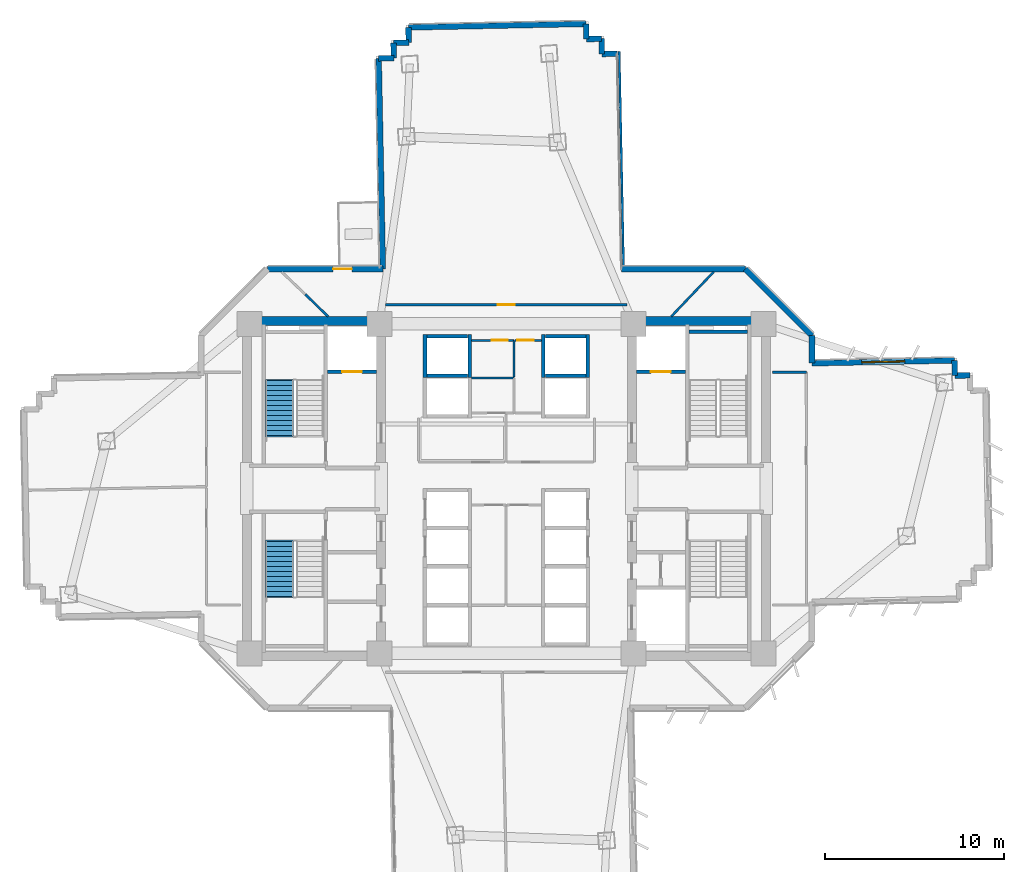
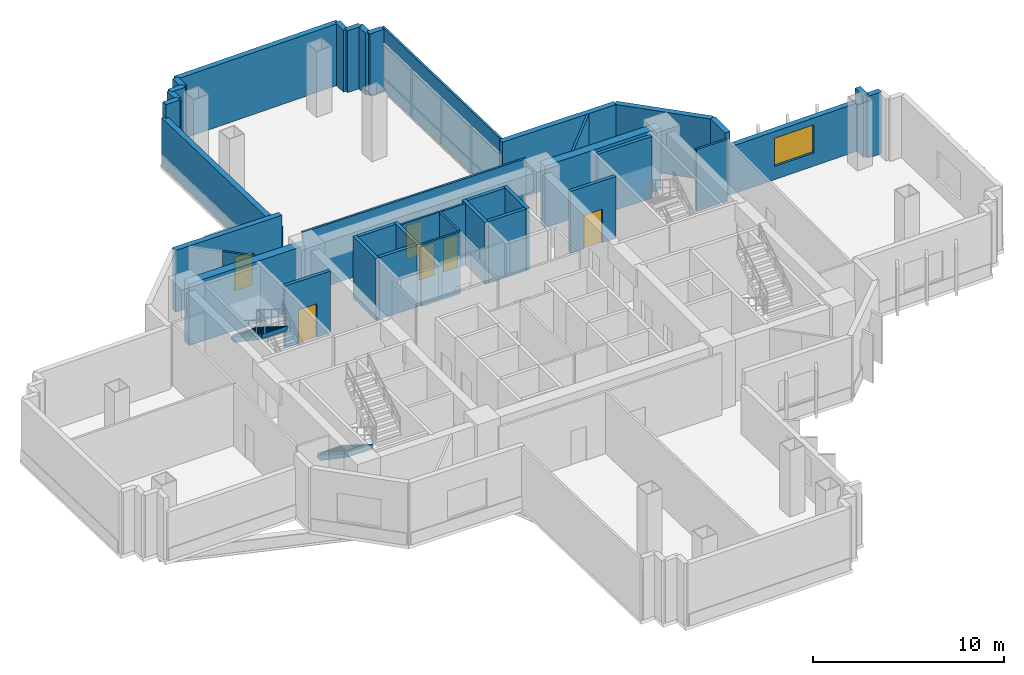
# One storey, part 9 of 15: 39 walls, 6 doors, 2 stair flights, 1 window, 7 openings, 2 elements without a shape of their own.
"""IFC4 building model written with IfcOpenShell, lengths in metres."""

import ifcopenshell
import ifcopenshell.guid

model = None  # the IFC model being written
_history = None  # IfcOwnerHistory: only IFC2X3 demands one
_inside = {}  # id of a spatial element -> (the spatial element, [elements in it])
_under = {}  # id of a project, library or spatial element -> (it, [spatial elements below it])
_declared = {}  # id of a project -> (the project, [libraries it declares])
_typed = {}  # id of a type object -> (the type object, [elements of that type])
_made_of = {}  # id of a material, layer set ... -> (it, [elements and type objects made of it])


def new_model(schema):
    """Start an empty IFC model of exactly this schema.

    Asked for "IFC4X3", IfcOpenShell would pick the latest addendum, in which some entities
    have other attributes; the version numbers below select the first issue.
    IFC2X3 requires an IfcOwnerHistory on every rooted entity: one is made here for all.
    """
    global model, _history
    if schema == "IFC4X3":
        model = ifcopenshell.file(schema_version=(4, 3, 0, 0))
    else:
        model = ifcopenshell.file(schema=schema)
    _inside.clear()
    _under.clear()
    _declared.clear()
    _typed.clear()
    _made_of.clear()
    _history = None
    if model.schema == "IFC2X3":
        org = make("IfcOrganization", Name="unknown")
        user = make(
            "IfcPersonAndOrganization",
            ThePerson=make("IfcPerson", FamilyName="unknown"),
            TheOrganization=org,
        )
        app = make(
            "IfcApplication",
            ApplicationDeveloper=org,
            Version="unknown",
            ApplicationFullName="unknown",
            ApplicationIdentifier="unknown",
        )
        _history = make(
            "IfcOwnerHistory",
            OwningUser=user,
            OwningApplication=app,
            ChangeAction="ADDED",
            CreationDate=0,
        )
    return model


def make(cls, **values):
    """One entity of the class cls with the attributes given. An attribute that is None is left unset."""
    return model.create_entity(
        cls, **{name: value for name, value in values.items() if value is not None}
    )


def rooted(cls, **values):
    """An entity with a GlobalId (a new one), such as an element, a storey or a relation."""
    return make(cls, GlobalId=ifcopenshell.guid.new(), OwnerHistory=_history, **values)


def si_unit(unit_type, name, prefix=None):
    """IfcSIUnit, for example si_unit("LENGTHUNIT", "METRE", prefix="MILLI")."""
    return make("IfcSIUnit", UnitType=unit_type, Prefix=prefix, Name=name)


def assignment(units):
    """IfcUnitAssignment: the units of a project."""
    return None if units is None else make("IfcUnitAssignment", Units=units)


def point(xyz):
    """IfcCartesianPoint."""
    return None if xyz is None else make("IfcCartesianPoint", Coordinates=xyz)


def direction(xyz):
    """IfcDirection."""
    return None if xyz is None else make("IfcDirection", DirectionRatios=xyz)


def frame(location, z_axis=None, x_axis=None):
    """IfcAxis2Placement3D, a coordinate frame: its origin and axes. An axis left out is left unset."""
    return make(
        "IfcAxis2Placement3D",
        Location=point(location),
        Axis=direction(z_axis),
        RefDirection=direction(x_axis),
    )


def frame_2d(location, x_axis=None):
    """IfcAxis2Placement2D, a coordinate frame in the plane: its origin and x axis."""
    return make(
        "IfcAxis2Placement2D", Location=point(location), RefDirection=direction(x_axis)
    )


def origin():
    """The frame at (0, 0, 0) with its axes left unset."""
    return frame((0.0, 0.0, 0.0))


def place(relative_to, where):
    """IfcLocalPlacement: puts the frame where relative to a parent placement (None: the world)."""
    return make(
        "IfcLocalPlacement", PlacementRelTo=relative_to, RelativePlacement=where
    )


def context(
    kind, dimensions, precision=None, world=None, true_north=None, identifier=None
):
    """IfcGeometricRepresentationContext, for example the 3D "Model" context."""
    return make(
        "IfcGeometricRepresentationContext",
        ContextIdentifier=identifier,
        ContextType=kind,
        CoordinateSpaceDimension=dimensions,
        Precision=precision,
        WorldCoordinateSystem=world,
        TrueNorth=true_north,
    )


def subcontext(parent, identifier, kind, view, scale=None):
    """IfcGeometricRepresentationSubContext, for example "Body" below "Model"."""
    return make(
        "IfcGeometricRepresentationSubContext",
        ContextIdentifier=identifier,
        ContextType=kind,
        ParentContext=parent,
        TargetScale=scale,
        TargetView=view,
    )


def project(units=None, contexts=None):
    """IfcProject with its units and contexts."""
    return rooted(
        "IfcProject",
        Name="project",
        RepresentationContexts=contexts,
        UnitsInContext=assignment(units),
    )


def spatial(cls, under=None, at=None, **own):
    """A site, building, storey or space (cls), placed at a placement, below another one or the project."""
    s = rooted(cls, ObjectPlacement=at, **own)
    if under is not None:
        _under.setdefault(under.id(), (under, []))[1].append(s)
    return s


def polyline(points):
    """IfcPolyline through the points."""
    return make("IfcPolyline", Points=[point(p) for p in points])


def profile(cls, at=None, kind="AREA", **sizes):
    """A parametric profile (cls). Its sizes go by their IFC names, for example OverallWidth=200.0."""
    return make(cls, ProfileType=kind, Position=at, **sizes)


def rectangle(**sizes):
    """IfcRectangleProfileDef."""
    return profile("IfcRectangleProfileDef", **sizes)


def outline(outer, holes=None, kind="AREA"):
    """IfcArbitraryClosedProfileDef: a profile drawn as a closed curve; with holes, ...WithVoids."""
    if holes is None:
        return make("IfcArbitraryClosedProfileDef", ProfileType=kind, OuterCurve=outer)
    return make(
        "IfcArbitraryProfileDefWithVoids",
        ProfileType=kind,
        OuterCurve=outer,
        InnerCurves=holes,
    )


def extrude(swept, where, along, depth):
    """IfcExtrudedAreaSolid: the profile swept, set in the frame where, extruded along a direction by depth."""
    return make(
        "IfcExtrudedAreaSolid",
        SweptArea=swept,
        Position=where,
        ExtrudedDirection=direction(along),
        Depth=depth,
    )


def shape(context_of_items, identifier, shape_type, items):
    """IfcShapeRepresentation: the items that make up one representation, for example the "Body"."""
    return make(
        "IfcShapeRepresentation",
        ContextOfItems=context_of_items,
        RepresentationIdentifier=identifier,
        RepresentationType=shape_type,
        Items=items,
    )


def source(mapping_origin, context_of_items, identifier, shape_type, items):
    """IfcRepresentationMap: a shape defined once, which mapped items show again and again."""
    return make(
        "IfcRepresentationMap",
        MappingOrigin=mapping_origin,
        MappedRepresentation=shape(context_of_items, identifier, shape_type, items),
    )


def transform(
    local_origin,
    x_axis=None,
    y_axis=None,
    z_axis=None,
    scale=None,
    scale2=None,
    scale3=None,
    uniform=True,
):
    """IfcCartesianTransformationOperator3D, or its non-uniform kind. x_axis, y_axis, z_axis: its Axis1, 2, 3."""
    if uniform:
        return make(
            "IfcCartesianTransformationOperator3D",
            Axis1=direction(x_axis),
            Axis2=direction(y_axis),
            LocalOrigin=point(local_origin),
            Scale=scale,
            Axis3=direction(z_axis),
        )
    return make(
        "IfcCartesianTransformationOperator3DnonUniform",
        Axis1=direction(x_axis),
        Axis2=direction(y_axis),
        LocalOrigin=point(local_origin),
        Scale=scale,
        Axis3=direction(z_axis),
        Scale2=scale2,
        Scale3=scale3,
    )


def mapped(mapping_source, mapping_target):
    """IfcMappedItem: shows the shape of a source again, moved by a transform."""
    return make(
        "IfcMappedItem", MappingSource=mapping_source, MappingTarget=mapping_target
    )


def material(Name=None, Category=None):
    """IfcMaterial."""
    return make("IfcMaterial", Name=Name, Category=Category)


def layer(
    of_material, thickness, ventilated=None, Name=None, Category=None, Priority=None
):
    """IfcMaterialLayer: one layer of a wall or slab, of a material (None: an air gap)."""
    return make(
        "IfcMaterialLayer",
        Material=of_material,
        LayerThickness=thickness,
        IsVentilated=ventilated,
        Name=Name,
        Category=Category,
        Priority=Priority,
    )


def layer_set(layers, Name=None):
    """IfcMaterialLayerSet."""
    return make("IfcMaterialLayerSet", MaterialLayers=layers, LayerSetName=Name)


def made_of(thing, what):
    """Note that an element or type object is made of a material, layer set ...; save() writes the relation."""
    if what is not None:
        _made_of.setdefault(what.id(), (what, []))[1].append(thing)
    return thing


def type_object(cls, material=None, **own):
    """A type object (cls), such as IfcWallType, which elements share."""
    return made_of(rooted(cls, **own), material)


def element(
    cls,
    number,
    at=None,
    inside=None,
    cuts=None,
    type_object=None,
    material=None,
    context=None,
    identifier="Body",
    shape_type=None,
    held_by="IfcProductDefinitionShape",
    body=None,
    shapes=None,
    **own,
):
    """One element of the class cls, such as IfcWall. Its Tag is "e" and its number.

    at: its placement. inside: the storey or other place that contains it. cuts: it is an
    opening in that element (IfcRelVoidsElement). A single representation is given by context,
    identifier, shape_type and body (its items); several are given by shapes. held_by: the class
    of the entity that holds the representations. save() writes the other relations.
    """
    e = rooted(cls, Tag="e%d" % number, ObjectPlacement=at, **own)
    if body is not None:
        shapes = [shape(context, identifier, shape_type, body)]
    if shapes is not None:
        e.Representation = make(held_by, Representations=shapes)
    if inside is not None:
        _inside.setdefault(inside.id(), (inside, []))[1].append(e)
    if cuts is not None:
        rooted(
            "IfcRelVoidsElement", RelatingBuildingElement=cuts, RelatedOpeningElement=e
        )
    if type_object is not None:
        _typed.setdefault(type_object.id(), (type_object, []))[1].append(e)
    return made_of(e, material)


def fill(opening, filler):
    """IfcRelFillsElement: the door or window that sits in an opening."""
    return rooted(
        "IfcRelFillsElement",
        RelatingOpeningElement=opening,
        RelatedBuildingElement=filler,
    )


def aggregate(whole, parts):
    """IfcRelAggregates: a whole, such as a stair, and the parts it consists of."""
    return rooted("IfcRelAggregates", RelatingObject=whole, RelatedObjects=parts)


def save(model, path):
    """Write the relations noted so far, then the file.

    IfcRelAggregates (storeys below a building ...), IfcRelContainedInSpatialStructure (elements
    in a storey), IfcRelDefinesByType, IfcRelAssociatesMaterial and IfcRelDeclares: one each for
    every whole, place, type object, material and project.
    """
    for whole, parts in _under.values():
        aggregate(whole, parts)
    for where, things in _inside.values():
        rooted(
            "IfcRelContainedInSpatialStructure",
            RelatedElements=things,
            RelatingStructure=where,
        )
    for kind, things in _typed.values():
        rooted("IfcRelDefinesByType", RelatedObjects=things, RelatingType=kind)
    for what, things in _made_of.values():
        rooted("IfcRelAssociatesMaterial", RelatedObjects=things, RelatingMaterial=what)
    for by, libraries in _declared.values():
        rooted("IfcRelDeclares", RelatingContext=by, RelatedDefinitions=libraries)
    model.write(path)


model = new_model("IFC4")

# Units and contexts
model_context = context("Model", 3, precision=1e-05, world=origin(), true_north=direction((0.0, 1.0)))
body_context = subcontext(model_context, "Body", "Model", "MODEL_VIEW")
ifc_project = project(units=[si_unit("LENGTHUNIT", "METRE"), si_unit("AREAUNIT", "SQUARE_METRE"), si_unit("VOLUMEUNIT", "CUBIC_METRE"), si_unit("PLANEANGLEUNIT", "RADIAN"), si_unit("MASSUNIT", "GRAM", prefix="KILO")], contexts=[model_context])

# Site, building, storey
site_placement = place(None, origin())
site = spatial("IfcSite", under=ifc_project, at=site_placement, CompositionType="ELEMENT")
building_placement = place(site_placement, origin())
building = spatial("IfcBuilding", under=site, at=building_placement, Name="Zahravan Cultural Tower", CompositionType="ELEMENT")
storey_placement = place(building_placement, frame((0.0, 0.0, 45.89990234375)))
storey = spatial("IfcBuildingStorey", under=building, at=storey_placement, Name="L09", CompositionType="ELEMENT", Elevation=45.89990234375)

# Wall, opening, window
ifc_material_1 = material(Name="Precast concrete C40/50", Category="concrete")
ifc_layer_1 = layer(ifc_material_1, 0.320068359375)
ifc_layer_set_1 = layer_set([ifc_layer_1], Name="Precast concrete C40/50")
wall_type_1 = type_object("IfcWallType", Name="EW-TC-320", PredefinedType="SOLIDWALL", material=ifc_layer_set_1)
wall_1_placement = place(storey_placement, frame((53.06005859375, 34.000732421875, 0.0), z_axis=(0.0, 0.0, 1.0), x_axis=(0.999802065132, 0.019895490902, 0.0)))
wall_1 = element("IfcWall", 1, at=wall_1_placement, inside=storey, type_object=wall_type_1, Name="L09 Exterior Masonry Frame Wall 01", PredefinedType="SOLIDWALL", context=body_context, shape_type="SweptSolid", body=[
    extrude(rectangle(XDim=7.9638671875, YDim=0.320068359375, at=frame_2d((3.98193359375, 0.0))), origin(), (0.0, 0.0, 1.0), 3.080078125),
])
opening_1_placement = place(wall_1_placement, frame((2.781982421875, 0.0, 0.85009765625)))
opening_1 = element("IfcOpeningElement", 2, at=opening_1_placement, cuts=wall_1, Name="Opening WN-01", PredefinedType="OPENING", context=body_context, shape_type="SweptSolid", body=[
    extrude(rectangle(XDim=2.39990234375, YDim=1.800048828125, at=frame_2d((1.199951171875, 0.89990234375))), frame((0.0, 0.169921875, 0.0), z_axis=(0.0, -1.0, 0.0), x_axis=(1.0, 0.0, 0.0)), (0.0, 0.0, 1.0), 0.340087890625),
])
ifc_material_2 = material(Name="Low-E solar-control double glazing", Category="glass")
window_type = type_object("IfcWindowType", Name="WN-REC-2400X1800", PartitioningType="DOUBLE_PANEL_VERTICAL", PredefinedType="WINDOW", material=ifc_material_2)
shared_shape_1 = source(origin(), body_context, "Body", "SweptSolid", [
    extrude(rectangle(XDim=2.39990234375, YDim=1.800048828125, at=frame_2d((1.199951171875, 0.89990234375))), frame((0.0, 0.030029296875, 0.0), z_axis=(0.0, -1.0, 0.0), x_axis=(1.0, 0.0, 0.0)), (0.0, 0.0, 1.0), 0.06005859375),
])
window_placement = place(opening_1_placement, origin())
window = element("IfcWindow", 3, at=window_placement, inside=storey, type_object=window_type, Name="L09 Recessed Solar Window 01", OverallHeight=1.800048828125, OverallWidth=2.39990234375, PartitioningType="DOUBLE_PANEL_VERTICAL", PredefinedType="WINDOW", context=body_context, shape_type="MappedRepresentation", body=[
    mapped(shared_shape_1, transform((0.0, 0.0, 0.0), x_axis=(1.0, 0.0, 0.0), y_axis=(0.0, 1.0, 0.0), z_axis=(0.0, 0.0, 1.0), scale=1.0)),
])
fill(opening_1, window)

# Wall, opening, door
wall_2_placement = place(storey_placement, frame((22.657958984375, 39.260009765625, 0.0), z_axis=(0.0, 0.0, 1.0), x_axis=(1.0, 0.0, 0.0)))
wall_2 = element("IfcWall", 4, at=wall_2_placement, inside=storey, type_object=wall_type_1, Name="L09 Exterior Masonry Frame Wall 41", PredefinedType="SOLIDWALL", context=body_context, shape_type="SweptSolid", body=[
    extrude(rectangle(XDim=6.436767578125, YDim=0.320068359375, at=frame_2d((3.21826171875, 0.0))), origin(), (0.0, 0.0, 1.0), 3.9501953125),
])
opening_2_placement = place(wall_2_placement, frame((3.6630859375, 0.0, 0.0)))
opening_2 = element("IfcOpeningElement", 5, at=opening_2_placement, cuts=wall_2, Name="Opening D-L09-TR-NW", PredefinedType="OPENING", context=body_context, shape_type="SweptSolid", body=[
    extrude(rectangle(XDim=1.050048828125, YDim=2.14990234375, at=frame_2d((0.52490234375, 1.074951171875))), frame((0.0, 0.169921875, 0.0), z_axis=(0.0, -1.0, 0.0), x_axis=(1.0, 0.0, 0.0)), (0.0, 0.0, 1.0), 0.340087890625),
])
ifc_material_3 = material(Name="Anodised bronze-aluminium mullion", Category="aluminium")
door_type_1 = type_object("IfcDoorType", Name="DR-TERR-1050", OperationType="NOTDEFINED", PredefinedType="DOOR", material=ifc_material_3)
shared_shape_2 = source(origin(), body_context, "Body", "SweptSolid", [
    extrude(rectangle(XDim=1.050048828125, YDim=2.14990234375, at=frame_2d((0.52490234375, 1.074951171875))), frame((0.0, 0.02490234375, 0.0), z_axis=(0.0, -1.0, 0.0), x_axis=(1.0, 0.0, 0.0)), (0.0, 0.0, 1.0), 0.050048828125),
])
door_1_placement = place(opening_2_placement, origin())
door_1 = element("IfcDoor", 6, at=door_1_placement, inside=storey, type_object=door_type_1, Name="L09 Terrace Access Door NW", OperationType="SINGLE_SWING_RIGHT", OverallHeight=2.14990234375, OverallWidth=1.050048828125, PredefinedType="DOOR", context=body_context, shape_type="MappedRepresentation", body=[
    mapped(shared_shape_2, transform((0.0, 0.0, 0.0), x_axis=(1.0, 0.0, 0.0), y_axis=(0.0, 1.0, 0.0), z_axis=(0.0, 0.0, 1.0), scale=1.0)),
])
fill(opening_2, door_1)

ifc_material_4 = material(Name="Gypsum plasterboard partition")
ifc_layer_2 = layer(ifc_material_4, 0.125)
ifc_layer_set_2 = layer_set([ifc_layer_2], Name="Gypsum plasterboard partition")
wall_type_2 = type_object("IfcWallType", Name="W-PART-125", PredefinedType="PARTITIONING", material=ifc_layer_set_2)
wall_3_placement = place(storey_placement, frame((42.744140625, 37.260009765625, 0.0), z_axis=(0.0, 0.0, 1.0), x_axis=(-0.999999999345, -3.6194509e-05, 0.0)))
wall_3 = element("IfcWall", 7, at=wall_3_placement, inside=storey, type_object=wall_type_2, Name="L09 Interior Wall 104", PredefinedType="PARTITIONING", context=body_context, shape_type="SweptSolid", body=[
    extrude(rectangle(XDim=13.490478515625, YDim=0.125, at=frame_2d((6.7451171875, 0.0))), origin(), (0.0, 0.0, 1.0), 3.9501953125),
])
opening_3_placement = place(wall_3_placement, frame((6.270263671875, 0.0, 0.0)))
opening_3 = element("IfcOpeningElement", 8, at=opening_3_placement, cuts=wall_3, Name="Opening D-L09-20", PredefinedType="OPENING", context=body_context, shape_type="SweptSolid", body=[
    extrude(rectangle(XDim=0.949951171875, YDim=2.14990234375, at=frame_2d((0.47509765625, 1.074951171875))), frame((0.0, 0.072509765625, 0.0), z_axis=(0.0, -1.0, 0.0), x_axis=(1.0, 0.0, 0.0)), (0.0, 0.0, 1.0), 0.14501953125),
])
door_type_2 = type_object("IfcDoorType", Name="DR-ROOM-950", OperationType="NOTDEFINED", PredefinedType="DOOR", material=ifc_material_3)
shared_shape_3 = source(origin(), body_context, "Body", "SweptSolid", [
    extrude(rectangle(XDim=0.949951171875, YDim=2.14990234375, at=frame_2d((0.47509765625, 1.074951171875))), frame((0.0, 0.02490234375, 0.0), z_axis=(0.0, -1.0, 0.0), x_axis=(1.0, 0.0, 0.0)), (0.0, 0.0, 1.0), 0.050048828125),
])
door_2_placement = place(opening_3_placement, origin())
door_2 = element("IfcDoor", 9, at=door_2_placement, inside=storey, type_object=door_type_2, Name="L09 Door D-L09-20", OperationType="SINGLE_SWING_RIGHT", OverallHeight=2.14990234375, OverallWidth=0.949951171875, PredefinedType="DOOR", context=body_context, shape_type="MappedRepresentation", body=[
    mapped(shared_shape_3, transform((0.0, 0.0, 0.0), x_axis=(1.0, 0.0, 0.0), y_axis=(0.0, 1.0, 0.0), z_axis=(0.0, 0.0, 1.0), scale=1.0)),
])
fill(opening_3, door_2)

ifc_material_5 = material(Name="Concrete C45/55", Category="concrete")
ifc_layer_3 = layer(ifc_material_5, 0.199951171875)
ifc_layer_set_3 = layer_set([ifc_layer_3], Name="Concrete C45/55")
wall_type_3 = type_object("IfcWallType", Name="W-SHAFT-200", PredefinedType="SOLIDWALL", material=ifc_layer_set_3)
wall_4_placement = place(storey_placement, frame((26.0, 33.52001953125, 0.0), z_axis=(0.0, 0.0, 1.0), x_axis=(1.0, 0.0, 0.0)))
wall_4 = element("IfcWall", 10, at=wall_4_placement, inside=storey, type_object=wall_type_3, Name="L09 Interior Wall 021", PredefinedType="SOLIDWALL", context=body_context, shape_type="SweptSolid", body=[
    extrude(rectangle(XDim=2.75, YDim=0.199951171875, at=frame_2d((1.375, 0.0))), origin(), (0.0, 0.0, 1.0), 3.9501953125),
])
opening_4_placement = place(wall_4_placement, frame((0.820068359375, 0.0, 0.0)))
opening_4 = element("IfcOpeningElement", 11, at=opening_4_placement, cuts=wall_4, Name="Opening LD-L09-01", PredefinedType="OPENING", context=body_context, shape_type="SweptSolid", body=[
    extrude(rectangle(XDim=1.10009765625, YDim=2.14990234375, at=frame_2d((0.550048828125, 1.074951171875))), frame((0.0, 0.10986328125, 0.0), z_axis=(0.0, -1.0, 0.0), x_axis=(1.0, 0.0, 0.0)), (0.0, 0.0, 1.0), 0.219970703125),
])
ifc_material_6 = material(Name="Steel ASTM A572 Grade 50", Category="steel")
door_type_3 = type_object("IfcDoorType", Name="DR-LIFT-1100", OperationType="DOUBLE_DOOR_SLIDING", PredefinedType="DOOR", material=ifc_material_6)
shared_shape_4 = source(origin(), body_context, "Body", "SweptSolid", [
    extrude(rectangle(XDim=1.10009765625, YDim=2.14990234375, at=frame_2d((0.550048828125, 1.074951171875))), frame((0.0, 0.02490234375, 0.0), z_axis=(0.0, -1.0, 0.0), x_axis=(1.0, 0.0, 0.0)), (0.0, 0.0, 1.0), 0.050048828125),
])
door_3_placement = place(opening_4_placement, origin())
door_3 = element("IfcDoor", 12, at=door_3_placement, inside=storey, type_object=door_type_3, Name="L09 Door LD-L09-01", OperationType="DOUBLE_DOOR_SLIDING", OverallHeight=2.14990234375, OverallWidth=1.10009765625, PredefinedType="DOOR", context=body_context, shape_type="MappedRepresentation", body=[
    mapped(shared_shape_4, transform((0.0, 0.0, 0.0), x_axis=(1.0, 0.0, 0.0), y_axis=(0.0, 1.0, 0.0), z_axis=(0.0, 0.0, 1.0), scale=1.0)),
])
fill(opening_4, door_3)

wall_5_placement = place(storey_placement, frame((43.25, 33.52001953125, 0.0), z_axis=(0.0, 0.0, 1.0), x_axis=(1.0, 0.0, 0.0)))
wall_5 = element("IfcWall", 13, at=wall_5_placement, inside=storey, type_object=wall_type_3, Name="L09 Interior Wall 022", PredefinedType="SOLIDWALL", context=body_context, shape_type="SweptSolid", body=[
    extrude(rectangle(XDim=2.75, YDim=0.199951171875, at=frame_2d((1.375, 0.0))), origin(), (0.0, 0.0, 1.0), 3.9501953125),
])
opening_5_placement = place(wall_5_placement, frame((0.820068359375, 0.0, 0.0)))
opening_5 = element("IfcOpeningElement", 14, at=opening_5_placement, cuts=wall_5, Name="Opening LD-L09-02", PredefinedType="OPENING", context=body_context, shape_type="SweptSolid", body=[
    extrude(rectangle(XDim=1.10009765625, YDim=2.14990234375, at=frame_2d((0.550048828125, 1.074951171875))), frame((0.0, 0.10986328125, 0.0), z_axis=(0.0, -1.0, 0.0), x_axis=(1.0, 0.0, 0.0)), (0.0, 0.0, 1.0), 0.219970703125),
])
door_4_placement = place(opening_5_placement, origin())
door_4 = element("IfcDoor", 15, at=door_4_placement, inside=storey, type_object=door_type_3, Name="L09 Door LD-L09-02", OperationType="DOUBLE_DOOR_SLIDING", OverallHeight=2.14990234375, OverallWidth=1.10009765625, PredefinedType="DOOR", context=body_context, shape_type="MappedRepresentation", body=[
    mapped(shared_shape_4, transform((0.0, 0.0, 0.0), x_axis=(1.0, 0.0, 0.0), y_axis=(0.0, 1.0, 0.0), z_axis=(0.0, 0.0, 1.0), scale=1.0)),
])
fill(opening_5, door_4)

ifc_layer_4 = layer(ifc_material_4, 0.114990234375)
ifc_layer_set_4 = layer_set([ifc_layer_4], Name="Gypsum plasterboard partition")
wall_type_4 = type_object("IfcWallType", Name="W-WC-115", PredefinedType="PARTITIONING", material=ifc_layer_set_4)
wall_6_placement = place(storey_placement, frame((34.054931640625, 35.280029296875, 0.0), z_axis=(0.0, 0.0, 1.0), x_axis=(1.0, 0.0, 0.0)))
wall_6 = element("IfcWall", 16, at=wall_6_placement, inside=storey, type_object=wall_type_4, Name="L09 Interior Wall 071", PredefinedType="PARTITIONING", context=body_context, shape_type="SweptSolid", body=[
    extrude(rectangle(XDim=2.35498046875, YDim=0.114990234375, at=frame_2d((1.177490234375, 0.0))), origin(), (0.0, 0.0, 1.0), 3.9501953125),
])
opening_6_placement = place(wall_6_placement, frame((1.120849609375, 0.0, 0.0)))
opening_6 = element("IfcOpeningElement", 17, at=opening_6_placement, cuts=wall_6, Name="Opening D-L09-13", PredefinedType="OPENING", context=body_context, shape_type="SweptSolid", body=[
    extrude(rectangle(XDim=0.89990234375, YDim=2.10009765625, at=frame_2d((0.449951171875, 1.050048828125))), frame((0.0, 0.0673828125, 0.0), z_axis=(0.0, -1.0, 0.0), x_axis=(1.0, 0.0, 0.0)), (0.0, 0.0, 1.0), 0.135009765625),
])
door_type_4 = type_object("IfcDoorType", Name="DR-WC-900", OperationType="NOTDEFINED", PredefinedType="DOOR", material=ifc_material_3)
shared_shape_5 = source(origin(), body_context, "Body", "SweptSolid", [
    extrude(rectangle(XDim=0.89990234375, YDim=2.10009765625, at=frame_2d((0.449951171875, 1.050048828125))), frame((0.0, 0.02490234375, 0.0), z_axis=(0.0, -1.0, 0.0), x_axis=(1.0, 0.0, 0.0)), (0.0, 0.0, 1.0), 0.050048828125),
])
door_5_placement = place(opening_6_placement, origin())
door_5 = element("IfcDoor", 18, at=door_5_placement, inside=storey, type_object=door_type_4, Name="L09 Door D-L09-13", OperationType="SINGLE_SWING_LEFT", OverallHeight=2.10009765625, OverallWidth=0.89990234375, PredefinedType="DOOR", context=body_context, shape_type="MappedRepresentation", body=[
    mapped(shared_shape_5, transform((0.0, 0.0, 0.0), x_axis=(1.0, 0.0, 0.0), y_axis=(0.0, 1.0, 0.0), z_axis=(0.0, 0.0, 1.0), scale=1.0)),
])
fill(opening_6, door_5)

wall_7_placement = place(storey_placement, frame((36.472412109375, 35.280029296875, 0.0), z_axis=(0.0, 0.0, 1.0), x_axis=(1.0, 0.0, 0.0)))
wall_7 = element("IfcWall", 19, at=wall_7_placement, inside=storey, type_object=wall_type_4, Name="L09 Interior Wall 074", PredefinedType="PARTITIONING", context=body_context, shape_type="SweptSolid", body=[
    extrude(rectangle(XDim=1.47265625, YDim=0.114990234375, at=frame_2d((0.736328125, 0.0))), origin(), (0.0, 0.0, 1.0), 3.9501953125),
])
opening_7_placement = place(wall_7_placement, frame((0.139892578125, 0.0, 0.0)))
opening_7 = element("IfcOpeningElement", 20, at=opening_7_placement, cuts=wall_7, Name="Opening D-L09-14", PredefinedType="OPENING", context=body_context, shape_type="SweptSolid", body=[
    extrude(rectangle(XDim=0.89990234375, YDim=2.10009765625, at=frame_2d((0.449951171875, 1.050048828125))), frame((0.0, 0.0673828125, 0.0), z_axis=(0.0, -1.0, 0.0), x_axis=(1.0, 0.0, 0.0)), (0.0, 0.0, 1.0), 0.135009765625),
])
door_6_placement = place(opening_7_placement, origin())
door_6 = element("IfcDoor", 21, at=door_6_placement, inside=storey, type_object=door_type_4, Name="L09 Door D-L09-14", OperationType="SINGLE_SWING_RIGHT", OverallHeight=2.10009765625, OverallWidth=0.89990234375, PredefinedType="DOOR", context=body_context, shape_type="MappedRepresentation", body=[
    mapped(shared_shape_5, transform((0.0, 0.0, 0.0), x_axis=(1.0, 0.0, 0.0), y_axis=(0.0, 1.0, 0.0), z_axis=(0.0, 0.0, 1.0), scale=1.0)),
])
fill(opening_7, door_6)

# Walls
ifc_material_7 = material(Name="Concrete C60/75", Category="concrete")
ifc_layer_5 = layer(ifc_material_7, 0.5)
ifc_layer_set_5 = layer_set([ifc_layer_5], Name="Concrete C60/75")
wall_type_5 = type_object("IfcWallType", Name="CW-SHEAR-500-C60", PredefinedType="SHEAR", material=ifc_layer_set_5)
shared_shape_6 = source(origin(), body_context, "Body", "SweptSolid", [
    extrude(rectangle(XDim=7.0, YDim=0.5, at=frame_2d((3.5, 0.0))), origin(), (0.0, 0.0, 1.0), 3.9501953125),
])
for number, where, z_axis, x_axis, name in (
    (22, (21.75, 36.35009765625, 0.0), (0.0, 0.0, 1.0), (1.0, 0.0, 0.0), "L09 Core Shear Wall CW-W-N-L09"),
    (23, (43.25, 36.35009765625, 0.0), (0.0, 0.0, 1.0), (1.0, 0.0, 0.0), "L09 Core Shear Wall CW-E-N-L09"),
):
    element("IfcWall", number, at=place(storey_placement, frame(where, z_axis=z_axis, x_axis=x_axis)), inside=storey, type_object=wall_type_5, Name=name, PredefinedType="SHEAR", context=body_context, shape_type="MappedRepresentation", body=[
        mapped(shared_shape_6, transform((0.0, 0.0, 0.0), x_axis=(1.0, 0.0, 0.0), y_axis=(0.0, 1.0, 0.0), z_axis=(0.0, 0.0, 1.0), scale=1.0)),
    ])
shared_shape_7 = source(origin(), body_context, "Body", "SweptSolid", [
    extrude(rectangle(XDim=11.76513671875, YDim=0.320068359375, at=frame_2d((5.882568359375, 0.0))), origin(), (0.0, 0.0, 1.0), 3.080078125),
])
wall_8_placement = place(storey_placement, frame((29.0947265625, 39.260009765625, 0.0), z_axis=(0.0, 0.0, 1.0), x_axis=(-0.019900582882, 0.999801963791, 0.0)))
element("IfcWall", 24, at=wall_8_placement, inside=storey, type_object=wall_type_1, Name="L09 Exterior Masonry Frame Wall 42", PredefinedType="SOLIDWALL", context=body_context, shape_type="MappedRepresentation", body=[
    mapped(shared_shape_7, transform((0.0, 0.0, 0.0), x_axis=(1.0, 0.0, 0.0), y_axis=(0.0, 1.0, 0.0), z_axis=(0.0, 0.0, 1.0), scale=1.0)),
])
shared_shape_8 = source(origin(), body_context, "Body", "SweptSolid", [
    extrude(rectangle(XDim=0.85009765625, YDim=0.320068359375, at=frame_2d((0.425048828125, 0.0))), origin(), (0.0, 0.0, 1.0), 3.9501953125),
])
for number, where, z_axis, x_axis, name in (
    (25, (61.0224609375, 34.1591796875, 0.0), (0.0, 0.0, 1.0), (0.019817997326, -0.999803604205, 0.0), "L09 Exterior Masonry Frame Wall 02"),
    (26, (61.039306640625, 33.309326171875, 0.0), (0.0, 0.0, 1.0), (0.999797872061, 0.020105099409, 0.0), "L09 Exterior Masonry Frame Wall 03"),
    (27, (28.860595703125, 51.022705078125, 0.0), (0.0, 0.0, 1.0), (0.999803604205, 0.019817997326, 0.0), "L09 Exterior Masonry Frame Wall 43"),
    (28, (29.71044921875, 51.03955078125, 0.0), (0.0, 0.0, 1.0), (-0.019817997326, 0.999803604205, 0.0), "L09 Exterior Masonry Frame Wall 44"),
    (29, (29.693603515625, 51.889404296875, 0.0), (0.0, 0.0, 1.0), (0.999797872061, 0.020105099409, 0.0), "L09 Exterior Masonry Frame Wall 45"),
    (30, (40.444580078125, 52.95361328125, 0.0), (0.0, 0.0, 1.0), (0.019817997326, -0.999803604205, 0.0), "L09 Exterior Masonry Frame Wall 48"),
    (31, (40.46142578125, 52.103759765625, 0.0), (0.0, 0.0, 1.0), (0.999803604205, 0.019817997326, 0.0), "L09 Exterior Masonry Frame Wall 49"),
    (32, (41.311279296875, 52.12060546875, 0.0), (0.0, 0.0, 1.0), (0.019817997326, -0.999803604205, 0.0), "L09 Exterior Masonry Frame Wall 50"),
    (33, (41.328125, 51.270751953125, 0.0), (0.0, 0.0, 1.0), (0.999803604205, 0.019817997326, 0.0), "L09 Exterior Masonry Frame Wall 51"),
):
    element("IfcWall", number, at=place(storey_placement, frame(where, z_axis=z_axis, x_axis=x_axis)), inside=storey, type_object=wall_type_1, Name=name, PredefinedType="SOLIDWALL", context=body_context, shape_type="MappedRepresentation", body=[
        mapped(shared_shape_8, transform((0.0, 0.0, 0.0), x_axis=(1.0, 0.0, 0.0), y_axis=(0.0, 1.0, 0.0), z_axis=(0.0, 0.0, 1.0), scale=1.0)),
    ])
shared_shape_9 = source(origin(), body_context, "Body", "SweptSolid", [
    extrude(rectangle(XDim=0.849853515625, YDim=0.320068359375, at=frame_2d((0.4248046875, 0.0))), origin(), (0.0, 0.0, 1.0), 3.9501953125),
])
wall_9_placement = place(storey_placement, frame((30.54345703125, 51.906494140625, 0.0), z_axis=(0.0, 0.0, 1.0), x_axis=(-0.019823689915, 0.999803491351, 0.0)))
element("IfcWall", 34, at=wall_9_placement, inside=storey, type_object=wall_type_1, Name="L09 Exterior Masonry Frame Wall 46", PredefinedType="SOLIDWALL", context=body_context, shape_type="MappedRepresentation", body=[
    mapped(shared_shape_9, transform((0.0, 0.0, 0.0), x_axis=(1.0, 0.0, 0.0), y_axis=(0.0, 1.0, 0.0), z_axis=(0.0, 0.0, 1.0), scale=1.0)),
])
shared_shape_10 = source(origin(), body_context, "Body", "SweptSolid", [
    extrude(rectangle(XDim=9.919921875, YDim=0.320068359375, at=frame_2d((4.9599609375, 0.0))), origin(), (0.0, 0.0, 1.0), 3.9501953125),
])
wall_10_placement = place(storey_placement, frame((30.526611328125, 52.756103515625, 0.0), z_axis=(0.0, 0.0, 1.0), x_axis=(0.999801768563, 0.019910388705, 0.0)))
element("IfcWall", 35, at=wall_10_placement, inside=storey, type_object=wall_type_1, Name="L09 Exterior Masonry Frame Wall 47", PredefinedType="SOLIDWALL", context=body_context, shape_type="MappedRepresentation", body=[
    mapped(shared_shape_10, transform((0.0, 0.0, 0.0), x_axis=(1.0, 0.0, 0.0), y_axis=(0.0, 1.0, 0.0), z_axis=(0.0, 0.0, 1.0), scale=1.0)),
])
shared_shape_11 = source(origin(), body_context, "Body", "SweptSolid", [
    extrude(rectangle(XDim=1.541259765625, YDim=0.320068359375, at=frame_2d((0.7705078125, 0.0))), origin(), (0.0, 0.0, 1.0), 3.9501953125),
])
wall_11_placement = place(storey_placement, frame((53.06005859375, 35.5419921875, 0.0), z_axis=(0.0, 0.0, 1.0), x_axis=(0.0, -1.0, 0.0)))
element("IfcWall", 36, at=wall_11_placement, inside=storey, type_object=wall_type_1, Name="L09 Exterior Masonry Frame Wall 54", PredefinedType="SOLIDWALL", context=body_context, shape_type="MappedRepresentation", body=[
    mapped(shared_shape_11, transform((0.0, 0.0, 0.0), x_axis=(1.0, 0.0, 0.0), y_axis=(0.0, 1.0, 0.0), z_axis=(0.0, 0.0, 1.0), scale=1.0)),
])
shared_shape_12 = source(origin(), body_context, "Body", "SweptSolid", [
    extrude(rectangle(XDim=5.258056640625, YDim=0.320068359375, at=frame_2d((2.62890625, 0.0))), origin(), (0.0, 0.0, 1.0), 3.9501953125),
])
wall_12_placement = place(storey_placement, frame((49.342041015625, 39.260009765625, 0.0), z_axis=(0.0, 0.0, 1.0), x_axis=(0.707106781187, -0.707106781187, 0.0)))
element("IfcWall", 37, at=wall_12_placement, inside=storey, type_object=wall_type_1, Name="L09 Exterior Masonry Frame Wall 53", PredefinedType="SOLIDWALL", context=body_context, shape_type="MappedRepresentation", body=[
    mapped(shared_shape_12, transform((0.0, 0.0, 0.0), x_axis=(1.0, 0.0, 0.0), y_axis=(0.0, 1.0, 0.0), z_axis=(0.0, 0.0, 1.0), scale=1.0)),
])
shared_shape_13 = source(origin(), body_context, "Body", "SweptSolid", [
    extrude(rectangle(XDim=6.924560546875, YDim=0.320068359375, at=frame_2d((3.46240234375, 0.0))), origin(), (0.0, 0.0, 1.0), 3.9501953125),
])
wall_13_placement = place(storey_placement, frame((42.41748046875, 39.260009765625, 0.0), z_axis=(0.0, 0.0, 1.0), x_axis=(1.0, 0.0, 0.0)))
element("IfcWall", 38, at=wall_13_placement, inside=storey, type_object=wall_type_1, Name="L09 Exterior Masonry Frame Wall 52", PredefinedType="SOLIDWALL", context=body_context, shape_type="MappedRepresentation", body=[
    mapped(shared_shape_13, transform((0.0, 0.0, 0.0), x_axis=(1.0, 0.0, 0.0), y_axis=(0.0, 1.0, 0.0), z_axis=(0.0, 0.0, 1.0), scale=1.0)),
])
shared_shape_14 = source(origin(), body_context, "Body", "SweptSolid", [
    extrude(rectangle(XDim=3.25, YDim=0.199951171875, at=frame_2d((1.625, 0.0))), origin(), (0.0, 0.0, 1.0), 3.9501953125),
])
wall_14_placement = place(storey_placement, frame((46.199951171875, 35.75, 0.0), z_axis=(0.0, 0.0, 1.0), x_axis=(1.0, 0.0, 0.0)))
element("IfcWall", 39, at=wall_14_placement, inside=storey, type_object=wall_type_3, Name="L09 Interior Wall 018", PredefinedType="SOLIDWALL", context=body_context, shape_type="MappedRepresentation", body=[
    mapped(shared_shape_14, transform((0.0, 0.0, 0.0), x_axis=(1.0, 0.0, 0.0), y_axis=(0.0, 1.0, 0.0), z_axis=(0.0, 0.0, 1.0), scale=1.0)),
])
shared_shape_15 = source(origin(), body_context, "Body", "SweptSolid", [
    extrude(rectangle(XDim=2.400146484375, YDim=0.199951171875, at=frame_2d((1.2001953125, 0.0))), origin(), (0.0, 0.0, 1.0), 3.9501953125),
])
for number, where, z_axis, x_axis, name in (
    (40, (31.449951171875, 33.199951171875, 0.0), (0.0, 0.0, 1.0), (0.0, 1.0, 0.0), "L09 Interior Wall 028"),
    (41, (33.949951171875, 33.199951171875, 0.0), (0.0, 0.0, 1.0), (0.0, 1.0, 0.0), "L09 Interior Wall 029"),
    (42, (38.050048828125, 33.199951171875, 0.0), (0.0, 0.0, 1.0), (0.0, 1.0, 0.0), "L09 Interior Wall 035"),
    (43, (40.550048828125, 33.199951171875, 0.0), (0.0, 0.0, 1.0), (0.0, 1.0, 0.0), "L09 Interior Wall 036"),
):
    element("IfcWall", number, at=place(storey_placement, frame(where, z_axis=z_axis, x_axis=x_axis)), inside=storey, type_object=wall_type_3, Name=name, PredefinedType="SOLIDWALL", context=body_context, shape_type="MappedRepresentation", body=[
        mapped(shared_shape_15, transform((0.0, 0.0, 0.0), x_axis=(1.0, 0.0, 0.0), y_axis=(0.0, 1.0, 0.0), z_axis=(0.0, 0.0, 1.0), scale=1.0)),
    ])
shared_shape_16 = source(origin(), body_context, "Body", "SweptSolid", [
    extrude(rectangle(XDim=2.260009765625, YDim=0.199951171875, at=frame_2d((1.1298828125, 0.0))), origin(), (0.0, 0.0, 1.0), 3.9501953125),
])
for number, where, z_axis, x_axis, name in (
    (44, (31.570068359375, 33.300048828125, 0.0), (0.0, 0.0, 1.0), (1.0, 0.0, 0.0), "L09 Interior Wall 030"),
    (45, (31.570068359375, 35.5, 0.0), (0.0, 0.0, 1.0), (1.0, 0.0, 0.0), "L09 Interior Wall 031"),
    (46, (38.169921875, 33.300048828125, 0.0), (0.0, 0.0, 1.0), (1.0, 0.0, 0.0), "L09 Interior Wall 037"),
    (47, (38.169921875, 35.5, 0.0), (0.0, 0.0, 1.0), (1.0, 0.0, 0.0), "L09 Interior Wall 038"),
):
    element("IfcWall", number, at=place(storey_placement, frame(where, z_axis=z_axis, x_axis=x_axis)), inside=storey, type_object=wall_type_3, Name=name, PredefinedType="SOLIDWALL", context=body_context, shape_type="MappedRepresentation", body=[
        mapped(shared_shape_16, transform((0.0, 0.0, 0.0), x_axis=(1.0, 0.0, 0.0), y_axis=(0.0, 1.0, 0.0), z_axis=(0.0, 0.0, 1.0), scale=1.0)),
    ])
shared_shape_17 = source(origin(), body_context, "Body", "SweptSolid", [
    extrude(rectangle(XDim=2.35498046875, YDim=0.114990234375, at=frame_2d((1.177490234375, 0.0))), origin(), (0.0, 0.0, 1.0), 3.9501953125),
])
wall_15_placement = place(storey_placement, frame((34.054931640625, 33.179931640625, 0.0), z_axis=(0.0, 0.0, 1.0), x_axis=(1.0, 0.0, 0.0)))
element("IfcWall", 48, at=wall_15_placement, inside=storey, type_object=wall_type_4, Name="L09 Interior Wall 069", PredefinedType="PARTITIONING", context=body_context, shape_type="MappedRepresentation", body=[
    mapped(shared_shape_17, transform((0.0, 0.0, 0.0), x_axis=(1.0, 0.0, 0.0), y_axis=(0.0, 1.0, 0.0), z_axis=(0.0, 0.0, 1.0), scale=1.0)),
])
shared_shape_18 = source(origin(), body_context, "Body", "SweptSolid", [
    extrude(rectangle(XDim=2.0400390625, YDim=0.114990234375, at=frame_2d((1.02001953125, 0.0))), origin(), (0.0, 0.0, 1.0), 3.9501953125),
])
wall_16_placement = place(storey_placement, frame((36.409912109375, 35.280029296875, 0.0), z_axis=(0.0, 0.0, 1.0), x_axis=(0.0, -1.0, 0.0)))
element("IfcWall", 49, at=wall_16_placement, inside=storey, type_object=wall_type_4, Name="L09 Interior Wall 072", PredefinedType="PARTITIONING", context=body_context, shape_type="MappedRepresentation", body=[
    mapped(shared_shape_18, transform((0.0, 0.0, 0.0), x_axis=(1.0, 0.0, 0.0), y_axis=(0.0, 1.0, 0.0), z_axis=(0.0, 0.0, 1.0), scale=1.0)),
])
shared_shape_19 = source(origin(), body_context, "Body", "SweptSolid", [
    extrude(rectangle(XDim=1.77099609375, YDim=0.125, at=frame_2d((0.885498046875, 0.0))), origin(), (0.0, 0.0, 1.0), 3.9501953125),
])
wall_17_placement = place(storey_placement, frame((24.772216796875, 37.838134765625, 0.0), z_axis=(0.0, 0.0, 1.0), x_axis=(0.717777212316, -0.696272844135, 0.0)))
element("IfcWall", 50, at=wall_17_placement, inside=storey, type_object=wall_type_2, Name="L09 Interior Wall 088", PredefinedType="PARTITIONING", context=body_context, shape_type="MappedRepresentation", body=[
    mapped(shared_shape_19, transform((0.0, 0.0, 0.0), x_axis=(1.0, 0.0, 0.0), y_axis=(0.0, 1.0, 0.0), z_axis=(0.0, 0.0, 1.0), scale=1.0)),
])
shared_shape_20 = source(origin(), body_context, "Body", "SweptSolid", [
    extrude(rectangle(XDim=3.437744140625, YDim=0.125, at=frame_2d((1.71875, 0.0))), origin(), (0.0, 0.0, 1.0), 3.9501953125),
])
wall_18_placement = place(storey_placement, frame((45.19677734375, 36.60498046875, 0.0), z_axis=(0.0, 0.0, 1.0), x_axis=(0.689493786127, 0.724291597972, 0.0)))
element("IfcWall", 51, at=wall_18_placement, inside=storey, type_object=wall_type_2, Name="L09 Interior Wall 102", PredefinedType="PARTITIONING", context=body_context, shape_type="MappedRepresentation", body=[
    mapped(shared_shape_20, transform((0.0, 0.0, 0.0), x_axis=(1.0, 0.0, 0.0), y_axis=(0.0, 1.0, 0.0), z_axis=(0.0, 0.0, 1.0), scale=1.0)),
])
shared_shape_21 = source(origin(), body_context, "Body", "SweptSolid", [
    extrude(rectangle(XDim=11.987548828125, YDim=0.125, at=frame_2d((5.99365234375, 0.0))), origin(), (0.0, 0.0, 1.0), 3.9501953125),
])
wall_19_placement = place(storey_placement, frame((42.295654296875, 51.41015625, 0.0), z_axis=(0.0, 0.0, 1.0), x_axis=(0.020060739884, -0.99979876311, 0.0)))
element("IfcWall", 52, at=wall_19_placement, inside=storey, type_object=wall_type_2, Name="L09 Interior Wall 103", PredefinedType="PARTITIONING", context=body_context, shape_type="MappedRepresentation", body=[
    mapped(shared_shape_21, transform((0.0, 0.0, 0.0), x_axis=(1.0, 0.0, 0.0), y_axis=(0.0, 1.0, 0.0), z_axis=(0.0, 0.0, 1.0), scale=1.0)),
])
shared_shape_22 = source(origin(), body_context, "Body", "SweptSolid", [
    extrude(rectangle(XDim=1.896728515625, YDim=0.125, at=frame_2d((0.9482421875, 0.0))), origin(), (0.0, 0.0, 1.0), 3.9501953125),
])
wall_20_placement = place(storey_placement, frame((52.747314453125, 33.497314453125, 0.0), z_axis=(0.0, 0.0, 1.0), x_axis=(-0.999999925444, -0.000386150055, 0.0)))
element("IfcWall", 53, at=wall_20_placement, inside=storey, type_object=wall_type_2, Name="L09 Interior Wall 101", PredefinedType="PARTITIONING", context=body_context, shape_type="MappedRepresentation", body=[
    mapped(shared_shape_22, transform((0.0, 0.0, 0.0), x_axis=(1.0, 0.0, 0.0), y_axis=(0.0, 1.0, 0.0), z_axis=(0.0, 0.0, 1.0), scale=1.0)),
])

# Stair, stair flight
stair_type = type_object("IfcStairType", Name="STR-DL-1550-420", PredefinedType="HALF_TURN_STAIR", material=ifc_material_5)
stair_1_placement = place(storey_placement, origin())
stair_1 = element("IfcStair", 54, at=stair_1_placement, inside=storey, type_object=stair_type, Name="L09 West Core North Exit Stair ST-W1", PredefinedType="HALF_TURN_STAIR")
stair_flight_type = type_object("IfcStairFlightType", Name="FLG-DL-1550-420", PredefinedType="STRAIGHT", material=ifc_material_5)
stair_flight_1_placement = place(storey_placement, frame((23.324951171875, 33.030029296875, 2.10009765625), z_axis=(0.0, 0.0, 1.0), x_axis=(0.0, -1.0, 0.0)))
stair_flight_1 = element("IfcStairFlight", 55, at=stair_flight_1_placement, type_object=stair_flight_type, Name="ST-W1 flight 2", NumberOfRisers=12, NumberOfTreads=11, PredefinedType="STRAIGHT", RiserHeight=0.175, TreadLength=0.28, context=body_context, shape_type="SweptSolid", body=[
    extrude(outline(polyline([(-0.06494140625, -0.139892578125), (-0.06494140625, 0.0), (0.0, 0.0), (0.0, 0.175048828125), (0.280029296875, 0.175048828125), (0.280029296875, 0.35009765625), (0.56005859375, 0.35009765625), (0.56005859375, 0.52490234375), (0.840087890625, 0.52490234375), (0.840087890625, 0.699951171875), (1.1201171875, 0.699951171875), (1.1201171875, 0.875), (1.39990234375, 0.875), (1.39990234375, 1.050048828125), (1.679931640625, 1.050048828125), (1.679931640625, 1.22509765625), (1.9599609375, 1.22509765625), (1.9599609375, 1.39990234375), (2.239990234375, 1.39990234375), (2.239990234375, 1.574951171875), (2.52001953125, 1.574951171875), (2.52001953125, 1.75), (2.800048828125, 1.75), (2.800048828125, 1.925048828125), (3.080078125, 1.925048828125), (3.080078125, 2.10009765625), (3.14501953125, 2.10009765625), (3.14501953125, 1.9501953125), (3.080078125, 1.748291015625), (0.28271484375, -0.139892578125), (-0.06494140625, -0.139892578125)])), frame((0.0, 0.77490234375, 0.0), z_axis=(0.0, -1.0, 0.0), x_axis=(1.0, 0.0, 0.0)), (0.0, 0.0, 1.0), 1.550048828125),
])
aggregate(stair_1, [stair_flight_1])

stair_2_placement = place(storey_placement, origin())
stair_2 = element("IfcStair", 56, at=stair_2_placement, inside=storey, type_object=stair_type, Name="L09 West Core South Exit Stair ST-W2", PredefinedType="HALF_TURN_STAIR")
stair_flight_2_placement = place(storey_placement, frame((23.324951171875, 24.050048828125, 0.0), z_axis=(0.0, 0.0, 1.0), x_axis=(0.0, -1.0, 0.0)))
stair_flight_2 = element("IfcStairFlight", 57, at=stair_flight_2_placement, type_object=stair_flight_type, Name="ST-W2 flight 1", NumberOfRisers=12, NumberOfTreads=11, PredefinedType="STRAIGHT", RiserHeight=0.175, TreadLength=0.28, context=body_context, shape_type="SweptSolid", body=[
    extrude(outline(polyline([(-0.06494140625, -0.139892578125), (-0.06494140625, 0.0), (0.0, 0.0), (0.0, 0.175048828125), (0.280029296875, 0.175048828125), (0.280029296875, 0.35009765625), (0.56005859375, 0.35009765625), (0.56005859375, 0.52490234375), (0.840087890625, 0.52490234375), (0.840087890625, 0.699951171875), (1.1201171875, 0.699951171875), (1.1201171875, 0.875), (1.39990234375, 0.875), (1.39990234375, 1.050048828125), (1.679931640625, 1.050048828125), (1.679931640625, 1.22509765625), (1.9599609375, 1.22509765625), (1.9599609375, 1.39990234375), (2.239990234375, 1.39990234375), (2.239990234375, 1.574951171875), (2.52001953125, 1.574951171875), (2.52001953125, 1.75), (2.800048828125, 1.75), (2.800048828125, 1.925048828125), (3.080078125, 1.925048828125), (3.080078125, 2.10009765625), (3.14501953125, 2.10009765625), (3.14501953125, 1.9501953125), (3.080078125, 1.748291015625), (0.28271484375, -0.139892578125), (-0.06494140625, -0.139892578125)])), frame((0.0, 0.77490234375, 0.0), z_axis=(0.0, -1.0, 0.0), x_axis=(1.0, 0.0, 0.0)), (0.0, 0.0, 1.0), 1.550048828125),
])
aggregate(stair_2, [stair_flight_2])

save(model, "model.ifc")
